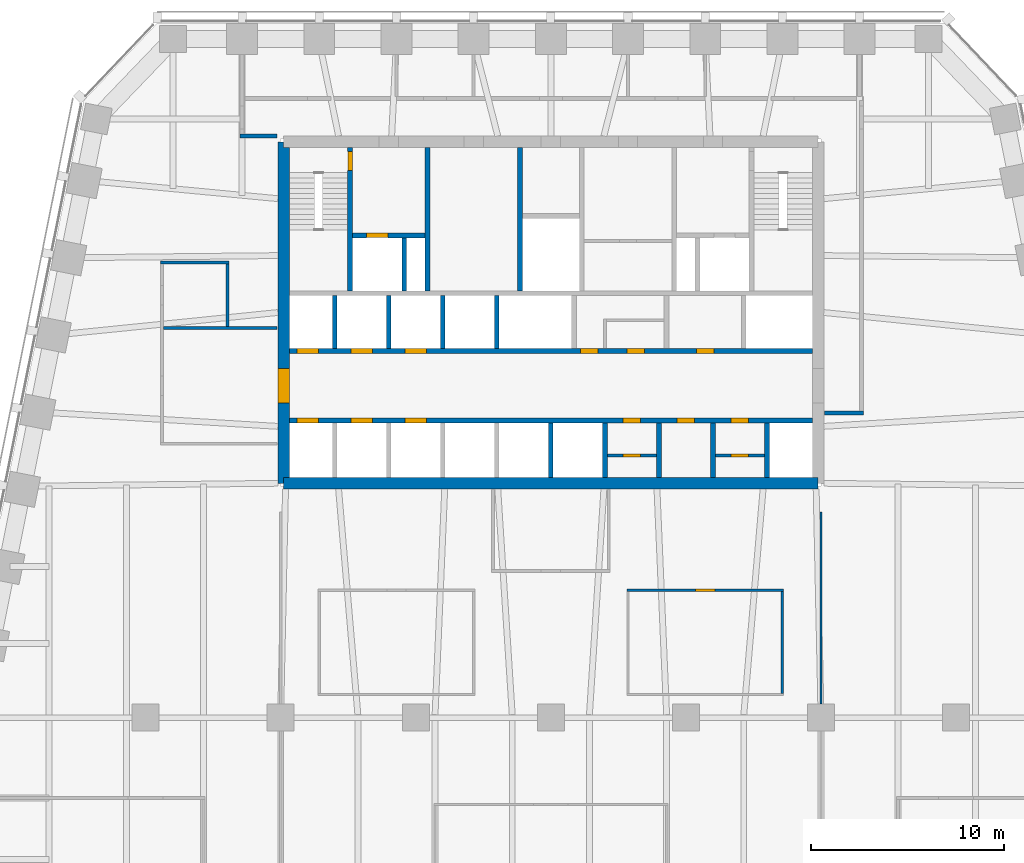
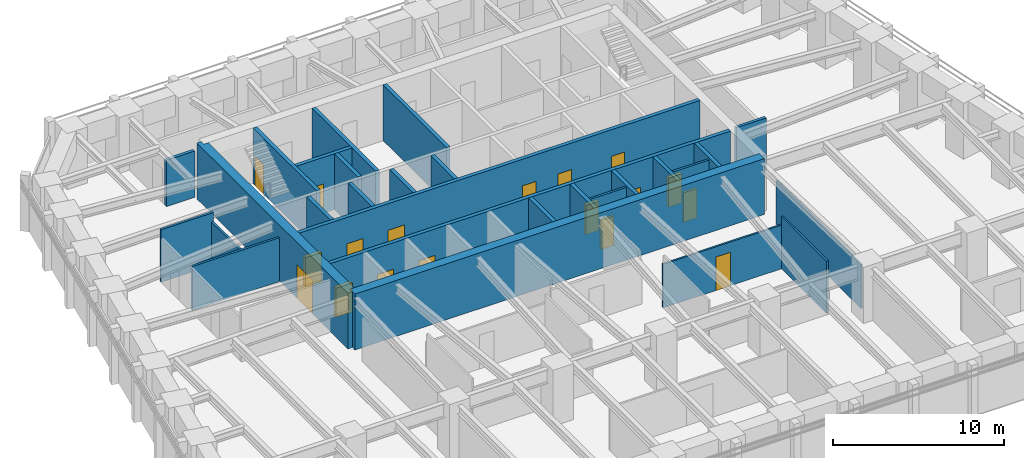
# One storey, part 6 of 10: 28 walls, 18 doors, 18 openings.
"""IFC4 building model written with IfcOpenShell, lengths in metres."""

from ifc_helpers import new_model, si_unit, direction, frame, frame_2d, origin, place, context, subcontext, project, spatial, polyline, rectangle, outline, extrude, material, layer, layer_set, type_object, element, fill, save


model = new_model("IFC4")

# Units and contexts
model_context = context("Model", 3, precision=1e-05, world=origin(), true_north=direction((0.0, 1.0)))
body_context = subcontext(model_context, "Body", "Model", "MODEL_VIEW")
ifc_project = project(units=[si_unit("LENGTHUNIT", "METRE"), si_unit("AREAUNIT", "SQUARE_METRE"), si_unit("VOLUMEUNIT", "CUBIC_METRE"), si_unit("PLANEANGLEUNIT", "RADIAN"), si_unit("MASSUNIT", "GRAM", prefix="KILO")], contexts=[model_context])

# Site, building, storey
site_placement = place(None, origin())
site = spatial("IfcSite", under=ifc_project, at=site_placement, CompositionType="ELEMENT")
building_placement = place(site_placement, origin())
building = spatial("IfcBuilding", under=site, at=building_placement, Name="Isbrekke Arena Tower", CompositionType="ELEMENT")
storey_placement = place(building_placement, frame((0.0, 0.0, 238.0)))
storey = spatial("IfcBuildingStorey", under=building, at=storey_placement, Name="L55", CompositionType="ELEMENT", Elevation=238.0)

# Wall
ifc_material_1 = material(Name="Concrete B55 (C55/67)", Category="concrete")
ifc_layer_1 = layer(ifc_material_1, 0.60009765625)
ifc_layer_set_1 = layer_set([ifc_layer_1], Name="CW4 CORE WALL 600")
wall_type_1 = type_object("IfcWallType", Name="CW4 CORE WALL 600", PredefinedType="SHEAR", material=ifc_layer_set_1)
wall_1_placement = place(storey_placement, frame((-13.85009765625, 6.14990234375, 0.0), z_axis=(0.0, 0.0, 1.0), x_axis=(1.0, 0.0, 0.0)))
element("IfcWall", 1, at=wall_1_placement, inside=storey, type_object=wall_type_1, Name="Core wall S L55", PredefinedType="SHEAR", context=body_context, shape_type="SweptSolid", body=[
    extrude(rectangle(XDim=27.7001953125, YDim=0.60009765625, at=frame_2d((13.85009765625, 0.0))), origin(), (0.0, 0.0, 1.0), 4.0),
])

# Wall, opening, door
wall_2_placement = place(storey_placement, frame((-13.85009765625, 23.85009765625, 0.0), z_axis=(0.0, 0.0, 1.0), x_axis=(0.0, -1.0, 0.0)))
wall_2 = element("IfcWall", 2, at=wall_2_placement, inside=storey, type_object=wall_type_1, Name="Core wall W L55", PredefinedType="SHEAR", context=body_context, shape_type="SweptSolid", body=[
    extrude(outline(polyline([(0.0, -0.300048828125), (17.7001953125, -0.300048828125), (17.7001953125, 0.0), (17.400146484375, 0.0), (17.400146484375, 0.300048828125), (0.300048828125, 0.300048828125), (0.300048828125, 0.0), (0.0, 0.0), (0.0, -0.300048828125)])), origin(), (0.0, 0.0, 1.0), 4.0),
])
opening_1_placement = place(wall_2_placement, frame((11.75, 0.0, 0.0)))
opening_1 = element("IfcOpeningElement", 3, at=opening_1_placement, cuts=wall_2, Name="Opening D1", PredefinedType="OPENING", context=body_context, shape_type="SweptSolid", body=[
    extrude(rectangle(XDim=1.800048828125, YDim=2.39990234375, at=frame_2d((0.89990234375, 1.199951171875))), frame((0.0, 0.31494140625, 0.0), z_axis=(0.0, -1.0, 0.0), x_axis=(1.0, 0.0, 0.0)), (0.0, 0.0, 1.0), 0.6298828125),
])
ifc_material_2 = material(Name="Steel-framed glazed fire door", Category="steel")
door_type_1 = type_object("IfcDoorType", Name="D1 CORE LOBBY DOOR 1800 x 2400", OperationType="DOUBLE_DOOR_SINGLE_SWING", PredefinedType="DOOR", material=ifc_material_2)
door_1_placement = place(opening_1_placement, origin())
door_1 = element("IfcDoor", 4, at=door_1_placement, inside=storey, type_object=door_type_1, Name="D1 lift lobby door west L55", OperationType="DOUBLE_DOOR_SINGLE_SWING", OverallHeight=2.39990234375, OverallWidth=1.800048828125, PredefinedType="DOOR", context=body_context, shape_type="SweptSolid", body=[
    extrude(rectangle(XDim=1.800048828125, YDim=2.39990234375, at=frame_2d((0.89990234375, 1.199951171875))), frame((0.0, 0.2998046875, 0.0), z_axis=(0.0, -1.0, 0.0), x_axis=(1.0, 0.0, 0.0)), (0.0, 0.0, 1.0), 0.599609375),
])
fill(opening_1, door_1)

# Wall, openings, doors
ifc_material_3 = material(Name="Concrete B45 (C45/55)", Category="concrete")
ifc_layer_2 = layer(ifc_material_3, 0.25)
ifc_layer_set_2 = layer_set([ifc_layer_2], Name="CW6 SHAFT WALL 250")
wall_type_2 = type_object("IfcWallType", Name="CW6 SHAFT WALL 250", PredefinedType="SHEAR", material=ifc_layer_set_2)
wall_3_placement = place(storey_placement, frame((-13.550048828125, 9.39990234375, 0.0), z_axis=(0.0, 0.0, 1.0), x_axis=(1.0, 0.0, 0.0)))
wall_3 = element("IfcWall", 5, at=wall_3_placement, inside=storey, type_object=wall_type_2, Name="Core wall LS L55", PredefinedType="SHEAR", context=body_context, shape_type="SweptSolid", body=[
    extrude(rectangle(XDim=27.10009765625, YDim=0.25, at=frame_2d((13.550048828125, 0.0))), origin(), (0.0, 0.0, 1.0), 4.0),
])
opening_2_placement = place(wall_3_placement, frame((0.39990234375, 0.0, 0.0)))
opening_2 = element("IfcOpeningElement", 6, at=opening_2_placement, cuts=wall_3, Name="Opening LD1", PredefinedType="OPENING", context=body_context, shape_type="SweptSolid", body=[
    extrude(rectangle(XDim=1.10009765625, YDim=2.10009765625, at=frame_2d((0.550048828125, 1.050048828125))), frame((0.0, 0.139892578125, 0.0), z_axis=(0.0, -1.0, 0.0), x_axis=(1.0, 0.0, 0.0)), (0.0, 0.0, 1.0), 0.27978515625),
])
opening_3_placement = place(wall_3_placement, frame((3.199951171875, 0.0, 0.0)))
opening_3 = element("IfcOpeningElement", 7, at=opening_3_placement, cuts=wall_3, Name="Opening LD1", PredefinedType="OPENING", context=body_context, shape_type="SweptSolid", body=[
    extrude(rectangle(XDim=1.10009765625, YDim=2.10009765625, at=frame_2d((0.550048828125, 1.050048828125))), frame((0.0, 0.139892578125, 0.0), z_axis=(0.0, -1.0, 0.0), x_axis=(1.0, 0.0, 0.0)), (0.0, 0.0, 1.0), 0.27978515625),
])
opening_4_placement = place(wall_3_placement, frame((6.0, 0.0, 0.0)))
opening_4 = element("IfcOpeningElement", 8, at=opening_4_placement, cuts=wall_3, Name="Opening LD1", PredefinedType="OPENING", context=body_context, shape_type="SweptSolid", body=[
    extrude(rectangle(XDim=1.10009765625, YDim=2.10009765625, at=frame_2d((0.550048828125, 1.050048828125))), frame((0.0, 0.139892578125, 0.0), z_axis=(0.0, -1.0, 0.0), x_axis=(1.0, 0.0, 0.0)), (0.0, 0.0, 1.0), 0.27978515625),
])
opening_5_placement = place(wall_3_placement, frame((17.300048828125, 0.0, 0.0)))
opening_5 = element("IfcOpeningElement", 9, at=opening_5_placement, cuts=wall_3, Name="Opening D5", PredefinedType="OPENING", context=body_context, shape_type="SweptSolid", body=[
    extrude(rectangle(XDim=0.89990234375, YDim=2.10009765625, at=frame_2d((0.449951171875, 1.050048828125))), frame((0.0, 0.139892578125, 0.0), z_axis=(0.0, -1.0, 0.0), x_axis=(1.0, 0.0, 0.0)), (0.0, 0.0, 1.0), 0.27978515625),
])
opening_6_placement = place(wall_3_placement, frame((20.10009765625, 0.0, 0.0)))
opening_6 = element("IfcOpeningElement", 10, at=opening_6_placement, cuts=wall_3, Name="Opening D5", PredefinedType="OPENING", context=body_context, shape_type="SweptSolid", body=[
    extrude(rectangle(XDim=0.89990234375, YDim=2.10009765625, at=frame_2d((0.449951171875, 1.050048828125))), frame((0.0, 0.139892578125, 0.0), z_axis=(0.0, -1.0, 0.0), x_axis=(1.0, 0.0, 0.0)), (0.0, 0.0, 1.0), 0.27978515625),
])
opening_7_placement = place(wall_3_placement, frame((22.89990234375, 0.0, 0.0)))
opening_7 = element("IfcOpeningElement", 11, at=opening_7_placement, cuts=wall_3, Name="Opening D5", PredefinedType="OPENING", context=body_context, shape_type="SweptSolid", body=[
    extrude(rectangle(XDim=0.89990234375, YDim=2.10009765625, at=frame_2d((0.449951171875, 1.050048828125))), frame((0.0, 0.139892578125, 0.0), z_axis=(0.0, -1.0, 0.0), x_axis=(1.0, 0.0, 0.0)), (0.0, 0.0, 1.0), 0.27978515625),
])
ifc_material_4 = material(Name="Steel fire door", Category="steel")
door_type_2 = type_object("IfcDoorType", Name="D5 SERVICE DOOR 900 x 2100", OperationType="SINGLE_SWING_LEFT", PredefinedType="DOOR", material=ifc_material_4)
door_2_placement = place(opening_5_placement, origin())
door_2 = element("IfcDoor", 12, at=door_2_placement, inside=storey, type_object=door_type_2, Name="D5 tea point door L55", OperationType="SINGLE_SWING_LEFT", OverallHeight=2.10009765625, OverallWidth=0.89990234375, PredefinedType="DOOR", context=body_context, shape_type="SweptSolid", body=[
    extrude(rectangle(XDim=0.89990234375, YDim=2.10009765625, at=frame_2d((0.449951171875, 1.050048828125))), frame((0.0, 0.124755859375, 0.0), z_axis=(0.0, -1.0, 0.0), x_axis=(1.0, 0.0, 0.0)), (0.0, 0.0, 1.0), 0.24951171875),
])
fill(opening_5, door_2)
door_3_placement = place(opening_6_placement, origin())
door_3 = element("IfcDoor", 13, at=door_3_placement, inside=storey, type_object=door_type_2, Name="D5 archive door L55", OperationType="SINGLE_SWING_LEFT", OverallHeight=2.10009765625, OverallWidth=0.89990234375, PredefinedType="DOOR", context=body_context, shape_type="SweptSolid", body=[
    extrude(rectangle(XDim=0.89990234375, YDim=2.10009765625, at=frame_2d((0.449951171875, 1.050048828125))), frame((0.0, 0.124755859375, 0.0), z_axis=(0.0, -1.0, 0.0), x_axis=(1.0, 0.0, 0.0)), (0.0, 0.0, 1.0), 0.24951171875),
])
fill(opening_6, door_3)
door_4_placement = place(opening_7_placement, origin())
door_4 = element("IfcDoor", 14, at=door_4_placement, inside=storey, type_object=door_type_2, Name="D5 mothers' room door L55", OperationType="SINGLE_SWING_LEFT", OverallHeight=2.10009765625, OverallWidth=0.89990234375, PredefinedType="DOOR", context=body_context, shape_type="SweptSolid", body=[
    extrude(rectangle(XDim=0.89990234375, YDim=2.10009765625, at=frame_2d((0.449951171875, 1.050048828125))), frame((0.0, 0.124755859375, 0.0), z_axis=(0.0, -1.0, 0.0), x_axis=(1.0, 0.0, 0.0)), (0.0, 0.0, 1.0), 0.24951171875),
])
fill(opening_7, door_4)
ifc_material_5 = material(Name="Stainless steel lift landing door", Category="steel")
door_type_3 = type_object("IfcDoorType", Name="LD1 LIFT LANDING DOOR 1100 x 2100", OperationType="SLIDING_TO_LEFT", PredefinedType="DOOR", material=ifc_material_5)
door_5_placement = place(opening_2_placement, origin())
door_5 = element("IfcDoor", 15, at=door_5_placement, inside=storey, type_object=door_type_3, Name="LD1 lift landing door LC L55", OperationType="SLIDING_TO_LEFT", OverallHeight=2.10009765625, OverallWidth=1.10009765625, PredefinedType="DOOR", context=body_context, shape_type="SweptSolid", body=[
    extrude(rectangle(XDim=1.10009765625, YDim=2.10009765625, at=frame_2d((0.550048828125, 1.050048828125))), frame((0.0, 0.124755859375, 0.0), z_axis=(0.0, -1.0, 0.0), x_axis=(1.0, 0.0, 0.0)), (0.0, 0.0, 1.0), 0.24951171875),
])
fill(opening_2, door_5)
door_6_placement = place(opening_3_placement, origin())
door_6 = element("IfcDoor", 16, at=door_6_placement, inside=storey, type_object=door_type_3, Name="LD1 lift landing door LC L55", OperationType="SLIDING_TO_LEFT", OverallHeight=2.10009765625, OverallWidth=1.10009765625, PredefinedType="DOOR", context=body_context, shape_type="SweptSolid", body=[
    extrude(rectangle(XDim=1.10009765625, YDim=2.10009765625, at=frame_2d((0.550048828125, 1.050048828125))), frame((0.0, 0.124755859375, 0.0), z_axis=(0.0, -1.0, 0.0), x_axis=(1.0, 0.0, 0.0)), (0.0, 0.0, 1.0), 0.24951171875),
])
fill(opening_3, door_6)
door_7_placement = place(opening_4_placement, origin())
door_7 = element("IfcDoor", 17, at=door_7_placement, inside=storey, type_object=door_type_3, Name="LD1 lift landing door LC L55", OperationType="SLIDING_TO_LEFT", OverallHeight=2.10009765625, OverallWidth=1.10009765625, PredefinedType="DOOR", context=body_context, shape_type="SweptSolid", body=[
    extrude(rectangle(XDim=1.10009765625, YDim=2.10009765625, at=frame_2d((0.550048828125, 1.050048828125))), frame((0.0, 0.124755859375, 0.0), z_axis=(0.0, -1.0, 0.0), x_axis=(1.0, 0.0, 0.0)), (0.0, 0.0, 1.0), 0.24951171875),
])
fill(opening_4, door_7)

wall_4_placement = place(storey_placement, frame((-13.550048828125, 13.0, 0.0), z_axis=(0.0, 0.0, 1.0), x_axis=(1.0, 0.0, 0.0)))
wall_4 = element("IfcWall", 18, at=wall_4_placement, inside=storey, type_object=wall_type_2, Name="Core wall LN L55", PredefinedType="SHEAR", context=body_context, shape_type="SweptSolid", body=[
    extrude(rectangle(XDim=27.10009765625, YDim=0.25, at=frame_2d((13.550048828125, 0.0))), origin(), (0.0, 0.0, 1.0), 4.0),
])
opening_8_placement = place(wall_4_placement, frame((0.39990234375, 0.0, 0.0)))
opening_8 = element("IfcOpeningElement", 19, at=opening_8_placement, cuts=wall_4, Name="Opening LD1", PredefinedType="OPENING", context=body_context, shape_type="SweptSolid", body=[
    extrude(rectangle(XDim=1.10009765625, YDim=2.10009765625, at=frame_2d((0.550048828125, 1.050048828125))), frame((0.0, 0.139892578125, 0.0), z_axis=(0.0, -1.0, 0.0), x_axis=(1.0, 0.0, 0.0)), (0.0, 0.0, 1.0), 0.27978515625),
])
opening_9_placement = place(wall_4_placement, frame((3.199951171875, 0.0, 0.0)))
opening_9 = element("IfcOpeningElement", 20, at=opening_9_placement, cuts=wall_4, Name="Opening LD1", PredefinedType="OPENING", context=body_context, shape_type="SweptSolid", body=[
    extrude(rectangle(XDim=1.10009765625, YDim=2.10009765625, at=frame_2d((0.550048828125, 1.050048828125))), frame((0.0, 0.139892578125, 0.0), z_axis=(0.0, -1.0, 0.0), x_axis=(1.0, 0.0, 0.0)), (0.0, 0.0, 1.0), 0.27978515625),
])
opening_10_placement = place(wall_4_placement, frame((6.0, 0.0, 0.0)))
opening_10 = element("IfcOpeningElement", 21, at=opening_10_placement, cuts=wall_4, Name="Opening LD1", PredefinedType="OPENING", context=body_context, shape_type="SweptSolid", body=[
    extrude(rectangle(XDim=1.10009765625, YDim=2.10009765625, at=frame_2d((0.550048828125, 1.050048828125))), frame((0.0, 0.139892578125, 0.0), z_axis=(0.0, -1.0, 0.0), x_axis=(1.0, 0.0, 0.0)), (0.0, 0.0, 1.0), 0.27978515625),
])
opening_11_placement = place(wall_4_placement, frame((15.10009765625, 0.0, 0.0)))
opening_11 = element("IfcOpeningElement", 22, at=opening_11_placement, cuts=wall_4, Name="Opening D5", PredefinedType="OPENING", context=body_context, shape_type="SweptSolid", body=[
    extrude(rectangle(XDim=0.89990234375, YDim=2.10009765625, at=frame_2d((0.449951171875, 1.050048828125))), frame((0.0, 0.139892578125, 0.0), z_axis=(0.0, -1.0, 0.0), x_axis=(1.0, 0.0, 0.0)), (0.0, 0.0, 1.0), 0.27978515625),
])
opening_12_placement = place(wall_4_placement, frame((17.5, 0.0, 0.0)))
opening_12 = element("IfcOpeningElement", 23, at=opening_12_placement, cuts=wall_4, Name="Opening D5", PredefinedType="OPENING", context=body_context, shape_type="SweptSolid", body=[
    extrude(rectangle(XDim=0.89990234375, YDim=2.10009765625, at=frame_2d((0.449951171875, 1.050048828125))), frame((0.0, 0.139892578125, 0.0), z_axis=(0.0, -1.0, 0.0), x_axis=(1.0, 0.0, 0.0)), (0.0, 0.0, 1.0), 0.27978515625),
])
opening_13_placement = place(wall_4_placement, frame((21.10009765625, 0.0, 0.0)))
opening_13 = element("IfcOpeningElement", 24, at=opening_13_placement, cuts=wall_4, Name="Opening D5", PredefinedType="OPENING", context=body_context, shape_type="SweptSolid", body=[
    extrude(rectangle(XDim=0.89990234375, YDim=2.10009765625, at=frame_2d((0.449951171875, 1.050048828125))), frame((0.0, 0.139892578125, 0.0), z_axis=(0.0, -1.0, 0.0), x_axis=(1.0, 0.0, 0.0)), (0.0, 0.0, 1.0), 0.27978515625),
])
door_8_placement = place(opening_11_placement, origin())
door_8 = element("IfcDoor", 25, at=door_8_placement, inside=storey, type_object=door_type_2, Name="D5 communications room door L55", OperationType="SINGLE_SWING_LEFT", OverallHeight=2.10009765625, OverallWidth=0.89990234375, PredefinedType="DOOR", context=body_context, shape_type="SweptSolid", body=[
    extrude(rectangle(XDim=0.89990234375, YDim=2.10009765625, at=frame_2d((0.449951171875, 1.050048828125))), frame((0.0, 0.124755859375, 0.0), z_axis=(0.0, -1.0, 0.0), x_axis=(1.0, 0.0, 0.0)), (0.0, 0.0, 1.0), 0.24951171875),
])
fill(opening_11, door_8)
door_9_placement = place(opening_12_placement, origin())
door_9 = element("IfcDoor", 26, at=door_9_placement, inside=storey, type_object=door_type_2, Name="D5 cleaner's store door L55", OperationType="SINGLE_SWING_LEFT", OverallHeight=2.10009765625, OverallWidth=0.89990234375, PredefinedType="DOOR", context=body_context, shape_type="SweptSolid", body=[
    extrude(rectangle(XDim=0.89990234375, YDim=2.10009765625, at=frame_2d((0.449951171875, 1.050048828125))), frame((0.0, 0.124755859375, 0.0), z_axis=(0.0, -1.0, 0.0), x_axis=(1.0, 0.0, 0.0)), (0.0, 0.0, 1.0), 0.24951171875),
])
fill(opening_12, door_9)
door_10_placement = place(opening_13_placement, origin())
door_10 = element("IfcDoor", 27, at=door_10_placement, inside=storey, type_object=door_type_2, Name="D5 quiet room door L55", OperationType="SINGLE_SWING_LEFT", OverallHeight=2.10009765625, OverallWidth=0.89990234375, PredefinedType="DOOR", context=body_context, shape_type="SweptSolid", body=[
    extrude(rectangle(XDim=0.89990234375, YDim=2.10009765625, at=frame_2d((0.449951171875, 1.050048828125))), frame((0.0, 0.124755859375, 0.0), z_axis=(0.0, -1.0, 0.0), x_axis=(1.0, 0.0, 0.0)), (0.0, 0.0, 1.0), 0.24951171875),
])
fill(opening_13, door_10)
door_11_placement = place(opening_8_placement, origin())
door_11 = element("IfcDoor", 28, at=door_11_placement, inside=storey, type_object=door_type_3, Name="LD1 lift landing door LC L55", OperationType="SLIDING_TO_LEFT", OverallHeight=2.10009765625, OverallWidth=1.10009765625, PredefinedType="DOOR", context=body_context, shape_type="SweptSolid", body=[
    extrude(rectangle(XDim=1.10009765625, YDim=2.10009765625, at=frame_2d((0.550048828125, 1.050048828125))), frame((0.0, 0.124755859375, 0.0), z_axis=(0.0, -1.0, 0.0), x_axis=(1.0, 0.0, 0.0)), (0.0, 0.0, 1.0), 0.24951171875),
])
fill(opening_8, door_11)
door_12_placement = place(opening_9_placement, origin())
door_12 = element("IfcDoor", 29, at=door_12_placement, inside=storey, type_object=door_type_3, Name="LD1 lift landing door LC L55", OperationType="SLIDING_TO_LEFT", OverallHeight=2.10009765625, OverallWidth=1.10009765625, PredefinedType="DOOR", context=body_context, shape_type="SweptSolid", body=[
    extrude(rectangle(XDim=1.10009765625, YDim=2.10009765625, at=frame_2d((0.550048828125, 1.050048828125))), frame((0.0, 0.124755859375, 0.0), z_axis=(0.0, -1.0, 0.0), x_axis=(1.0, 0.0, 0.0)), (0.0, 0.0, 1.0), 0.24951171875),
])
fill(opening_9, door_12)
door_13_placement = place(opening_10_placement, origin())
door_13 = element("IfcDoor", 30, at=door_13_placement, inside=storey, type_object=door_type_3, Name="LD1 lift landing door LC L55", OperationType="SLIDING_TO_LEFT", OverallHeight=2.10009765625, OverallWidth=1.10009765625, PredefinedType="DOOR", context=body_context, shape_type="SweptSolid", body=[
    extrude(rectangle(XDim=1.10009765625, YDim=2.10009765625, at=frame_2d((0.550048828125, 1.050048828125))), frame((0.0, 0.124755859375, 0.0), z_axis=(0.0, -1.0, 0.0), x_axis=(1.0, 0.0, 0.0)), (0.0, 0.0, 1.0), 0.24951171875),
])
fill(opening_10, door_13)

# Walls
for number, where, z_axis, x_axis, name in (
    (31, (0.0, 6.449951171875, 0.0), (0.0, 0.0, 1.0), (0.0, 1.0, 0.0), "Core wall SS05 L55"),
    (32, (2.800048828125, 6.449951171875, 0.0), (0.0, 0.0, 1.0), (0.0, 1.0, 0.0), "Core wall SS06 L55"),
    (33, (5.60009765625, 6.449951171875, 0.0), (0.0, 0.0, 1.0), (0.0, 1.0, 0.0), "Core wall SS07 L55"),
    (34, (8.39990234375, 6.449951171875, 0.0), (0.0, 0.0, 1.0), (0.0, 1.0, 0.0), "Core wall SS08 L55"),
    (35, (11.199951171875, 6.449951171875, 0.0), (0.0, 0.0, 1.0), (0.0, 1.0, 0.0), "Core wall SS09 L55"),
):
    element("IfcWall", number, at=place(storey_placement, frame(where, z_axis=z_axis, x_axis=x_axis)), inside=storey, type_object=wall_type_2, Name=name, PredefinedType="SHEAR", context=body_context, shape_type="SweptSolid", body=[
        extrude(rectangle(XDim=2.824951171875, YDim=0.25, at=frame_2d((1.41259765625, 0.0))), origin(), (0.0, 0.0, 1.0), 4.0),
    ])
for number, where, z_axis, x_axis, name in (
    (36, (-11.199951171875, 13.125, 0.0), (0.0, 0.0, 1.0), (0.0, 1.0, 0.0), "Core wall SN01 L55"),
    (37, (-8.39990234375, 13.125, 0.0), (0.0, 0.0, 1.0), (0.0, 1.0, 0.0), "Core wall SN02 L55"),
    (38, (-5.60009765625, 13.125, 0.0), (0.0, 0.0, 1.0), (0.0, 1.0, 0.0), "Core wall SN03 L55"),
    (39, (-2.800048828125, 13.125, 0.0), (0.0, 0.0, 1.0), (0.0, 1.0, 0.0), "Core wall SN04 L55"),
):
    element("IfcWall", number, at=place(storey_placement, frame(where, z_axis=z_axis, x_axis=x_axis)), inside=storey, type_object=wall_type_2, Name=name, PredefinedType="SHEAR", context=body_context, shape_type="SweptSolid", body=[
        extrude(rectangle(XDim=2.75, YDim=0.25, at=frame_2d((1.375, 0.0))), origin(), (0.0, 0.0, 1.0), 4.0),
    ])

# Wall, opening, door
wall_5_placement = place(storey_placement, frame((-10.39990234375, 16.125, 0.0), z_axis=(0.0, 0.0, 1.0), x_axis=(0.0, 1.0, 0.0)))
wall_5 = element("IfcWall", 40, at=wall_5_placement, inside=storey, type_object=wall_type_2, Name="Core wall NV01 L55", PredefinedType="SHEAR", context=body_context, shape_type="SweptSolid", body=[
    extrude(rectangle(XDim=7.425048828125, YDim=0.25, at=frame_2d((3.71240234375, 0.0))), origin(), (0.0, 0.0, 1.0), 4.0),
])
opening_14_placement = place(wall_5_placement, frame((6.22509765625, 0.0, 0.0)))
opening_14 = element("IfcOpeningElement", 41, at=opening_14_placement, cuts=wall_5, Name="Opening D2", PredefinedType="OPENING", context=body_context, shape_type="SweptSolid", body=[
    extrude(rectangle(XDim=1.0, YDim=2.10009765625, at=frame_2d((0.5, 1.050048828125))), frame((0.0, 0.139892578125, 0.0), z_axis=(0.0, -1.0, 0.0), x_axis=(1.0, 0.0, 0.0)), (0.0, 0.0, 1.0), 0.27978515625),
])
ifc_material_6 = material(Name="Steel fire door", Category="steel")
door_type_4 = type_object("IfcDoorType", Name="D2 STAIR DOOR 1000 x 2100", OperationType="SINGLE_SWING_LEFT", PredefinedType="DOOR", material=ifc_material_6)
door_14_placement = place(opening_14_placement, origin())
door_14 = element("IfcDoor", 42, at=door_14_placement, inside=storey, type_object=door_type_4, Name="D2 stair door ST1 L55", OperationType="SINGLE_SWING_LEFT", OverallHeight=2.10009765625, OverallWidth=1.0, PredefinedType="DOOR", context=body_context, shape_type="SweptSolid", body=[
    extrude(rectangle(XDim=1.0, YDim=2.10009765625, at=frame_2d((0.5, 1.050048828125))), frame((0.0, 0.124755859375, 0.0), z_axis=(0.0, -1.0, 0.0), x_axis=(1.0, 0.0, 0.0)), (0.0, 0.0, 1.0), 0.24951171875),
])
fill(opening_14, door_14)

# Walls
for number, where, z_axis, x_axis, name in (
    (43, (-6.39990234375, 16.125, 0.0), (0.0, 0.0, 1.0), (0.0, 1.0, 0.0), "Core wall NV02 L55"),
    (44, (-1.60009765625, 16.125, 0.0), (0.0, 0.0, 1.0), (0.0, 1.0, 0.0), "Core wall NV03 L55"),
):
    element("IfcWall", number, at=place(storey_placement, frame(where, z_axis=z_axis, x_axis=x_axis)), inside=storey, type_object=wall_type_2, Name=name, PredefinedType="SHEAR", context=body_context, shape_type="SweptSolid", body=[
        extrude(rectangle(XDim=7.425048828125, YDim=0.25, at=frame_2d((3.71240234375, 0.0))), origin(), (0.0, 0.0, 1.0), 4.0),
    ])

# Wall, opening, door
wall_6_placement = place(storey_placement, frame((-10.27490234375, 19.0, 0.0), z_axis=(0.0, 0.0, 1.0), x_axis=(1.0, 0.0, 0.0)))
wall_6 = element("IfcWall", 45, at=wall_6_placement, inside=storey, type_object=wall_type_2, Name="Core wall NFW L55", PredefinedType="SHEAR", context=body_context, shape_type="SweptSolid", body=[
    extrude(rectangle(XDim=3.75, YDim=0.25, at=frame_2d((1.875, 0.0))), origin(), (0.0, 0.0, 1.0), 4.0),
])
opening_15_placement = place(wall_6_placement, frame((0.72509765625, 0.0, 0.0)))
opening_15 = element("IfcOpeningElement", 46, at=opening_15_placement, cuts=wall_6, Name="Opening LD2", PredefinedType="OPENING", context=body_context, shape_type="SweptSolid", body=[
    extrude(rectangle(XDim=1.10009765625, YDim=2.10009765625, at=frame_2d((0.550048828125, 1.050048828125))), frame((0.0, 0.139892578125, 0.0), z_axis=(0.0, -1.0, 0.0), x_axis=(1.0, 0.0, 0.0)), (0.0, 0.0, 1.0), 0.27978515625),
])
ifc_material_7 = material(Name="Stainless steel lift landing door", Category="steel")
door_type_5 = type_object("IfcDoorType", Name="LD2 FIRE-FIGHTING LIFT LANDING DOOR 1100 x 2100", OperationType="SLIDING_TO_RIGHT", PredefinedType="DOOR", material=ifc_material_7)
door_15_placement = place(opening_15_placement, origin())
door_15 = element("IfcDoor", 47, at=door_15_placement, inside=storey, type_object=door_type_5, Name="LD2 lift landing door LF L55", OperationType="SLIDING_TO_RIGHT", OverallHeight=2.10009765625, OverallWidth=1.10009765625, PredefinedType="DOOR", context=body_context, shape_type="SweptSolid", body=[
    extrude(rectangle(XDim=1.10009765625, YDim=2.10009765625, at=frame_2d((0.550048828125, 1.050048828125))), frame((0.0, 0.124755859375, 0.0), z_axis=(0.0, -1.0, 0.0), x_axis=(1.0, 0.0, 0.0)), (0.0, 0.0, 1.0), 0.24951171875),
])
fill(opening_15, door_15)

# Walls
wall_7_placement = place(storey_placement, frame((-7.60009765625, 16.125, 0.0), z_axis=(0.0, 0.0, 1.0), x_axis=(0.0, 1.0, 0.0)))
element("IfcWall", 48, at=wall_7_placement, inside=storey, type_object=wall_type_2, Name="Core wall NFS1 L55", PredefinedType="SHEAR", context=body_context, shape_type="SweptSolid", body=[
    extrude(rectangle(XDim=2.75, YDim=0.25, at=frame_2d((1.375, 0.0))), origin(), (0.0, 0.0, 1.0), 4.0),
])
ifc_material_8 = material(Name="Gypsum board partition on steel studs", Category="steel")
ifc_layer_3 = layer(ifc_material_8, 0.14990234375)
ifc_layer_set_3 = layer_set([ifc_layer_3], Name="IW1 PARTITION 150")
wall_type_3 = type_object("IfcWallType", Name="IW1 PARTITION 150", PredefinedType="PARTITIONING", material=ifc_layer_set_3)
wall_8_placement = place(storey_placement, frame((-20.074951171875, 14.199951171875, 0.0), z_axis=(0.0, 0.0, 1.0), x_axis=(1.0, 0.0, 0.0)))
element("IfcWall", 49, at=wall_8_placement, inside=storey, type_object=wall_type_3, Name="IW1 partition 150 L55", PredefinedType="PARTITIONING", context=body_context, shape_type="SweptSolid", body=[
    extrude(rectangle(XDim=5.89501953125, YDim=0.14990234375, at=frame_2d((2.947509765625, 0.0))), origin(), (0.0, 0.0, 1.0), 3.1298828125),
])
wall_9_placement = place(storey_placement, frame((-20.22509765625, 17.60009765625, 0.0), z_axis=(0.0, 0.0, 1.0), x_axis=(1.0, 0.0, 0.0)))
element("IfcWall", 50, at=wall_9_placement, inside=storey, type_object=wall_type_3, Name="IW1 partition 150 L55", PredefinedType="PARTITIONING", context=body_context, shape_type="SweptSolid", body=[
    extrude(rectangle(XDim=3.550048828125, YDim=0.14990234375, at=frame_2d((1.77490234375, 0.0))), origin(), (0.0, 0.0, 1.0), 3.75),
])
wall_10_placement = place(storey_placement, frame((-16.75, 14.27490234375, 0.0), z_axis=(0.0, 0.0, 1.0), x_axis=(0.0, 1.0, 0.0)))
element("IfcWall", 51, at=wall_10_placement, inside=storey, type_object=wall_type_3, Name="IW1 partition 150 L55", PredefinedType="PARTITIONING", context=body_context, shape_type="SweptSolid", body=[
    extrude(rectangle(XDim=3.25, YDim=0.14990234375, at=frame_2d((1.625, 0.0))), origin(), (0.0, 0.0, 1.0), 3.1298828125),
])

# Wall, opening, door
ifc_material_9 = material(Name="Frameless glazed partition, laminated acoustic glass", Category="glass")
ifc_layer_4 = layer(ifc_material_9, 0.1201171875)
ifc_layer_set_4 = layer_set([ifc_layer_4], Name="IW2 GLAZED PARTITION 120")
wall_type_4 = type_object("IfcWallType", Name="IW2 GLAZED PARTITION 120", PredefinedType="PARTITIONING", material=ifc_layer_set_4)
wall_11_placement = place(storey_placement, frame((3.93994140625, 0.60009765625, 0.0), z_axis=(0.0, 0.0, 1.0), x_axis=(1.0, 0.0, 0.0)))
wall_11 = element("IfcWall", 52, at=wall_11_placement, inside=storey, type_object=wall_type_4, Name="IW2 glazed partition 120 L55", PredefinedType="PARTITIONING", context=body_context, shape_type="SweptSolid", body=[
    extrude(rectangle(XDim=8.1201171875, YDim=0.1201171875, at=frame_2d((4.06005859375, 0.0))), origin(), (0.0, 0.0, 1.0), 3.1298828125),
])
opening_16_placement = place(wall_11_placement, frame((3.56005859375, 0.0, 0.0)))
opening_16 = element("IfcOpeningElement", 53, at=opening_16_placement, cuts=wall_11, Name="Opening D11", PredefinedType="OPENING", context=body_context, shape_type="SweptSolid", body=[
    extrude(rectangle(XDim=1.0, YDim=2.39990234375, at=frame_2d((0.5, 1.199951171875))), frame((0.0, 0.074951171875, 0.0), z_axis=(0.0, -1.0, 0.0), x_axis=(1.0, 0.0, 0.0)), (0.0, 0.0, 1.0), 0.14990234375),
])
ifc_material_10 = material(Name="Frameless glazed door", Category="glass")
door_type_6 = type_object("IfcDoorType", Name="D11 GLAZED MEETING ROOM DOOR 1000 x 2400", OperationType="SINGLE_SWING_RIGHT", PredefinedType="DOOR", material=ifc_material_10)
door_16_placement = place(opening_16_placement, origin())
door_16 = element("IfcDoor", 54, at=door_16_placement, inside=storey, type_object=door_type_6, Name="D11 meeting room door L55", OperationType="SINGLE_SWING_RIGHT", OverallHeight=2.39990234375, OverallWidth=1.0, PredefinedType="DOOR", context=body_context, shape_type="SweptSolid", body=[
    extrude(rectangle(XDim=1.0, YDim=2.39990234375, at=frame_2d((0.5, 1.199951171875))), frame((0.0, 0.059814453125, 0.0), z_axis=(0.0, -1.0, 0.0), x_axis=(1.0, 0.0, 0.0)), (0.0, 0.0, 1.0), 0.11962890625),
])
fill(opening_16, door_16)

# Walls
wall_12_placement = place(storey_placement, frame((12.0, -4.739990234375, 0.0), z_axis=(0.0, 0.0, 1.0), x_axis=(0.0, 1.0, 0.0)))
element("IfcWall", 55, at=wall_12_placement, inside=storey, type_object=wall_type_4, Name="IW2 glazed partition 120 L55", PredefinedType="PARTITIONING", context=body_context, shape_type="SweptSolid", body=[
    extrude(rectangle(XDim=5.280029296875, YDim=0.1201171875, at=frame_2d((2.64013671875, 0.0))), origin(), (0.0, 0.0, 1.0), 3.75),
])
wall_13_placement = place(storey_placement, frame((14.0009765625, -5.300048828125, 0.0), z_axis=(0.0, 0.0, 1.0), x_axis=(0.0, 1.0, 0.0)))
element("IfcWall", 56, at=wall_13_placement, inside=storey, type_object=wall_type_4, Name="IW2 glazed partition 120 L55", PredefinedType="PARTITIONING", context=body_context, shape_type="SweptSolid", body=[
    extrude(rectangle(XDim=9.949951171875, YDim=0.1201171875, at=frame_2d((4.97509765625, 0.0))), origin(), (0.0, 0.0, 1.0), 3.1298828125),
])
ifc_material_11 = material(Name="Gypsum board fire-cell wall on steel studs, two layers each side", Category="steel")
ifc_layer_5 = layer(ifc_material_11, 0.199951171875)
ifc_layer_set_5 = layer_set([ifc_layer_5], Name="IW3 FIRE-CELL WALL 200")
wall_type_5 = type_object("IfcWallType", Name="IW3 FIRE-CELL WALL 200", PredefinedType="PARTITIONING", material=ifc_layer_set_5)
wall_14_placement = place(storey_placement, frame((14.179931640625, 9.800048828125, 0.0), z_axis=(0.0, 0.0, 1.0), x_axis=(1.0, 0.0, 0.0)))
element("IfcWall", 57, at=wall_14_placement, inside=storey, type_object=wall_type_5, Name="IW3 fire-cell wall 200 L55", PredefinedType="PARTITIONING", context=body_context, shape_type="SweptSolid", body=[
    extrude(rectangle(XDim=2.02001953125, YDim=0.199951171875, at=frame_2d((1.010009765625, 0.0))), origin(), (0.0, 0.0, 1.0), 3.75),
])
wall_15_placement = place(storey_placement, frame((-16.10009765625, 24.14990234375, 0.0), z_axis=(0.0, 0.0, 1.0), x_axis=(1.0, 0.0, 0.0)))
element("IfcWall", 58, at=wall_15_placement, inside=storey, type_object=wall_type_5, Name="IW3 fire-cell wall 200 L55", PredefinedType="PARTITIONING", context=body_context, shape_type="SweptSolid", body=[
    extrude(rectangle(XDim=1.920166015625, YDim=0.199951171875, at=frame_2d((0.9599609375, 0.0))), origin(), (0.0, 0.0, 1.0), 3.318115234375),
])

# Wall, opening, door
ifc_material_12 = material(Name="Gypsum board fire-rated partition on steel studs, two layers each side", Category="steel")
ifc_layer_6 = layer(ifc_material_12, 0.14990234375)
ifc_layer_set_6 = layer_set([ifc_layer_6], Name="IW5 FIRE-RATED PARTITION 150")
wall_type_6 = type_object("IfcWallType", Name="IW5 FIRE-RATED PARTITION 150", PredefinedType="PARTITIONING", material=ifc_layer_set_6)
wall_16_placement = place(storey_placement, frame((2.925048828125, 7.60009765625, 0.0), z_axis=(0.0, 0.0, 1.0), x_axis=(1.0, 0.0, 0.0)))
wall_16 = element("IfcWall", 59, at=wall_16_placement, inside=storey, type_object=wall_type_6, Name="IW5 fire-rated partition L55 core service rooms 3", PredefinedType="PARTITIONING", context=body_context, shape_type="SweptSolid", body=[
    extrude(rectangle(XDim=2.550048828125, YDim=0.14990234375, at=frame_2d((1.27490234375, 0.0))), origin(), (0.0, 0.0, 1.0), 3.85009765625),
])
opening_17_placement = place(wall_16_placement, frame((0.824951171875, 0.0, 0.0)))
opening_17 = element("IfcOpeningElement", 60, at=opening_17_placement, cuts=wall_16, Name="Opening D5", PredefinedType="OPENING", context=body_context, shape_type="SweptSolid", body=[
    extrude(rectangle(XDim=0.89990234375, YDim=2.10009765625, at=frame_2d((0.449951171875, 1.050048828125))), frame((0.0, 0.08984375, 0.0), z_axis=(0.0, -1.0, 0.0), x_axis=(1.0, 0.0, 0.0)), (0.0, 0.0, 1.0), 0.1796875),
])
door_17_placement = place(opening_17_placement, origin())
door_17 = element("IfcDoor", 61, at=door_17_placement, inside=storey, type_object=door_type_2, Name="D5 tenant store door L55", OperationType="SINGLE_SWING_LEFT", OverallHeight=2.10009765625, OverallWidth=0.89990234375, PredefinedType="DOOR", context=body_context, shape_type="SweptSolid", body=[
    extrude(rectangle(XDim=0.89990234375, YDim=2.10009765625, at=frame_2d((0.449951171875, 1.050048828125))), frame((0.0, 0.07470703125, 0.0), z_axis=(0.0, -1.0, 0.0), x_axis=(1.0, 0.0, 0.0)), (0.0, 0.0, 1.0), 0.1494140625),
])
fill(opening_17, door_17)

wall_17_placement = place(storey_placement, frame((8.52490234375, 7.60009765625, 0.0), z_axis=(0.0, 0.0, 1.0), x_axis=(1.0, 0.0, 0.0)))
wall_17 = element("IfcWall", 62, at=wall_17_placement, inside=storey, type_object=wall_type_6, Name="IW5 fire-rated partition L55 core service rooms 4", PredefinedType="PARTITIONING", context=body_context, shape_type="SweptSolid", body=[
    extrude(rectangle(XDim=2.550048828125, YDim=0.14990234375, at=frame_2d((1.27490234375, 0.0))), origin(), (0.0, 0.0, 1.0), 3.85009765625),
])
opening_18_placement = place(wall_17_placement, frame((0.824951171875, 0.0, 0.0)))
opening_18 = element("IfcOpeningElement", 63, at=opening_18_placement, cuts=wall_17, Name="Opening D5", PredefinedType="OPENING", context=body_context, shape_type="SweptSolid", body=[
    extrude(rectangle(XDim=0.89990234375, YDim=2.10009765625, at=frame_2d((0.449951171875, 1.050048828125))), frame((0.0, 0.08984375, 0.0), z_axis=(0.0, -1.0, 0.0), x_axis=(1.0, 0.0, 0.0)), (0.0, 0.0, 1.0), 0.1796875),
])
door_18_placement = place(opening_18_placement, origin())
door_18 = element("IfcDoor", 64, at=door_18_placement, inside=storey, type_object=door_type_2, Name="D5 store door L55", OperationType="SINGLE_SWING_LEFT", OverallHeight=2.10009765625, OverallWidth=0.89990234375, PredefinedType="DOOR", context=body_context, shape_type="SweptSolid", body=[
    extrude(rectangle(XDim=0.89990234375, YDim=2.10009765625, at=frame_2d((0.449951171875, 1.050048828125))), frame((0.0, 0.07470703125, 0.0), z_axis=(0.0, -1.0, 0.0), x_axis=(1.0, 0.0, 0.0)), (0.0, 0.0, 1.0), 0.1494140625),
])
fill(opening_18, door_18)

save(model, "model.ifc")
